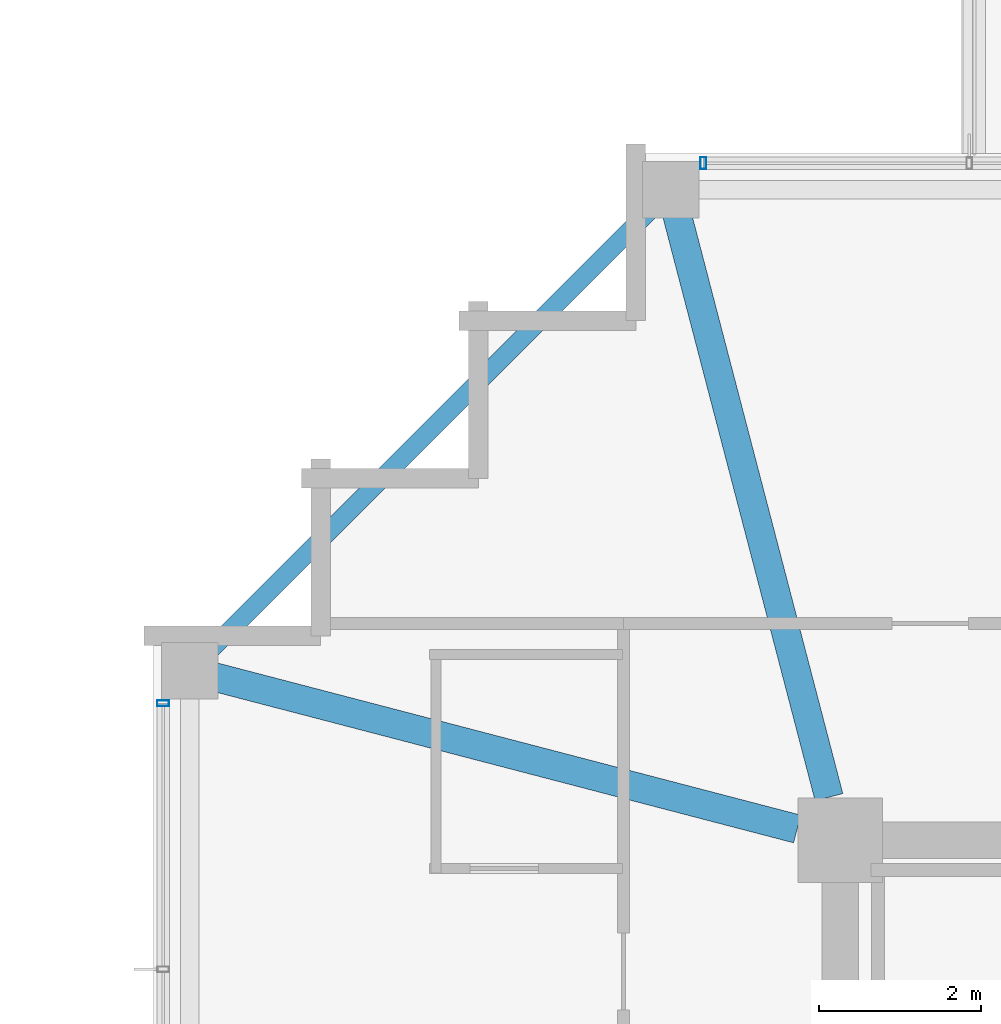
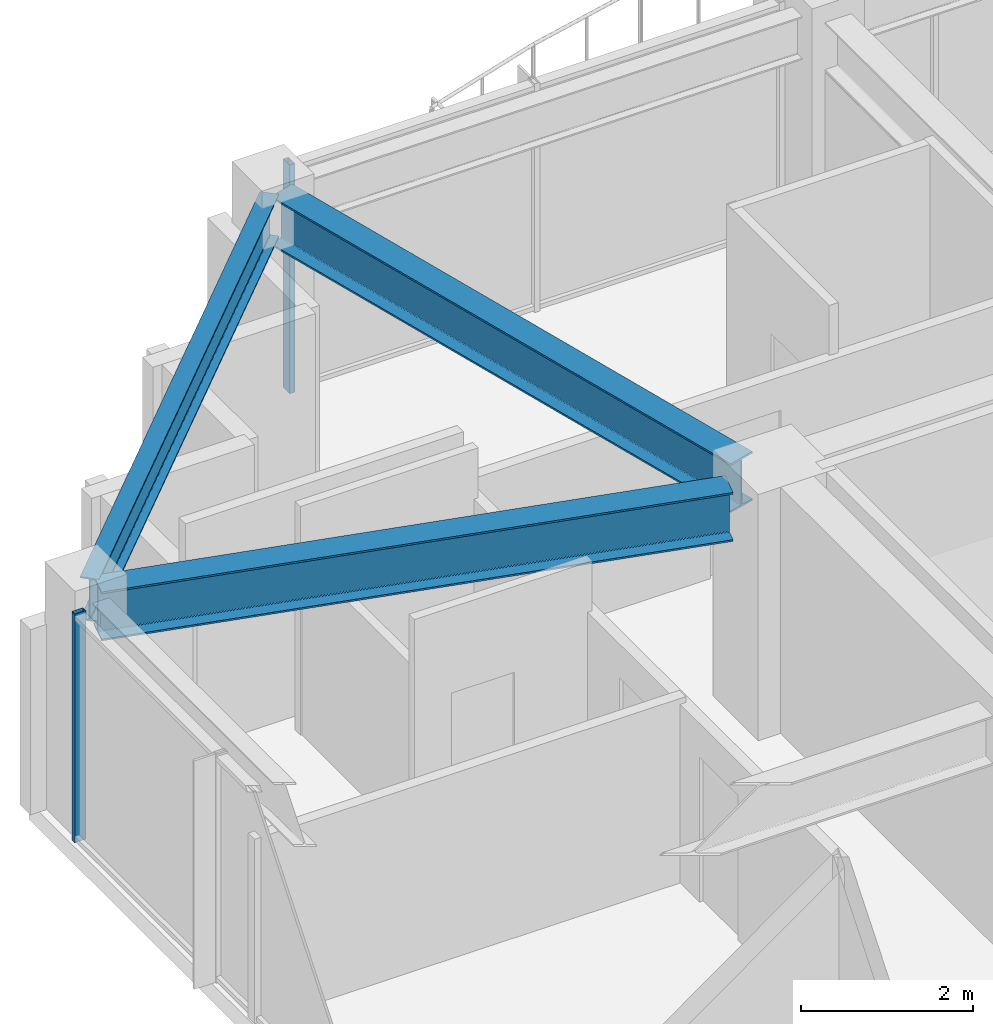
# One storey, part 15 of 34: 3 beams, 2 members, 2 elements without a shape of their own.
"""IFC4 building model written with IfcOpenShell, lengths in metres."""

import ifcopenshell
import ifcopenshell.guid

model = None  # the IFC model being written
_history = None  # IfcOwnerHistory: only IFC2X3 demands one
_inside = {}  # id of a spatial element -> (the spatial element, [elements in it])
_under = {}  # id of a project, library or spatial element -> (it, [spatial elements below it])
_declared = {}  # id of a project -> (the project, [libraries it declares])
_typed = {}  # id of a type object -> (the type object, [elements of that type])
_made_of = {}  # id of a material, layer set ... -> (it, [elements and type objects made of it])


def new_model(schema):
    """Start an empty IFC model of exactly this schema.

    Asked for "IFC4X3", IfcOpenShell would pick the latest addendum, in which some entities
    have other attributes; the version numbers below select the first issue.
    IFC2X3 requires an IfcOwnerHistory on every rooted entity: one is made here for all.
    """
    global model, _history
    if schema == "IFC4X3":
        model = ifcopenshell.file(schema_version=(4, 3, 0, 0))
    else:
        model = ifcopenshell.file(schema=schema)
    _inside.clear()
    _under.clear()
    _declared.clear()
    _typed.clear()
    _made_of.clear()
    _history = None
    if model.schema == "IFC2X3":
        org = make("IfcOrganization", Name="unknown")
        user = make(
            "IfcPersonAndOrganization",
            ThePerson=make("IfcPerson", FamilyName="unknown"),
            TheOrganization=org,
        )
        app = make(
            "IfcApplication",
            ApplicationDeveloper=org,
            Version="unknown",
            ApplicationFullName="unknown",
            ApplicationIdentifier="unknown",
        )
        _history = make(
            "IfcOwnerHistory",
            OwningUser=user,
            OwningApplication=app,
            ChangeAction="ADDED",
            CreationDate=0,
        )
    return model


def make(cls, **values):
    """One entity of the class cls with the attributes given. An attribute that is None is left unset."""
    return model.create_entity(
        cls, **{name: value for name, value in values.items() if value is not None}
    )


def rooted(cls, **values):
    """An entity with a GlobalId (a new one), such as an element, a storey or a relation."""
    return make(cls, GlobalId=ifcopenshell.guid.new(), OwnerHistory=_history, **values)


def si_unit(unit_type, name, prefix=None):
    """IfcSIUnit, for example si_unit("LENGTHUNIT", "METRE", prefix="MILLI")."""
    return make("IfcSIUnit", UnitType=unit_type, Prefix=prefix, Name=name)


def assignment(units):
    """IfcUnitAssignment: the units of a project."""
    return None if units is None else make("IfcUnitAssignment", Units=units)


def point(xyz):
    """IfcCartesianPoint."""
    return None if xyz is None else make("IfcCartesianPoint", Coordinates=xyz)


def direction(xyz):
    """IfcDirection."""
    return None if xyz is None else make("IfcDirection", DirectionRatios=xyz)


def frame(location, z_axis=None, x_axis=None):
    """IfcAxis2Placement3D, a coordinate frame: its origin and axes. An axis left out is left unset."""
    return make(
        "IfcAxis2Placement3D",
        Location=point(location),
        Axis=direction(z_axis),
        RefDirection=direction(x_axis),
    )


def frame_2d(location, x_axis=None):
    """IfcAxis2Placement2D, a coordinate frame in the plane: its origin and x axis."""
    return make(
        "IfcAxis2Placement2D", Location=point(location), RefDirection=direction(x_axis)
    )


def origin():
    """The frame at (0, 0, 0) with its axes left unset."""
    return frame((0.0, 0.0, 0.0))


def origin_2d():
    """The frame at (0, 0) in the plane with its x axis left unset."""
    return frame_2d((0.0, 0.0))


def place(relative_to, where):
    """IfcLocalPlacement: puts the frame where relative to a parent placement (None: the world)."""
    return make(
        "IfcLocalPlacement", PlacementRelTo=relative_to, RelativePlacement=where
    )


def context(
    kind, dimensions, precision=None, world=None, true_north=None, identifier=None
):
    """IfcGeometricRepresentationContext, for example the 3D "Model" context."""
    return make(
        "IfcGeometricRepresentationContext",
        ContextIdentifier=identifier,
        ContextType=kind,
        CoordinateSpaceDimension=dimensions,
        Precision=precision,
        WorldCoordinateSystem=world,
        TrueNorth=true_north,
    )


def subcontext(parent, identifier, kind, view, scale=None):
    """IfcGeometricRepresentationSubContext, for example "Body" below "Model"."""
    return make(
        "IfcGeometricRepresentationSubContext",
        ContextIdentifier=identifier,
        ContextType=kind,
        ParentContext=parent,
        TargetScale=scale,
        TargetView=view,
    )


def project(units=None, contexts=None):
    """IfcProject with its units and contexts."""
    return rooted(
        "IfcProject",
        Name="project",
        RepresentationContexts=contexts,
        UnitsInContext=assignment(units),
    )


def spatial(cls, under=None, at=None, **own):
    """A site, building, storey or space (cls), placed at a placement, below another one or the project."""
    s = rooted(cls, ObjectPlacement=at, **own)
    if under is not None:
        _under.setdefault(under.id(), (under, []))[1].append(s)
    return s


def profile(cls, at=None, kind="AREA", **sizes):
    """A parametric profile (cls). Its sizes go by their IFC names, for example OverallWidth=200.0."""
    return make(cls, ProfileType=kind, Position=at, **sizes)


def hollow_rectangle(**sizes):
    """IfcRectangleHollowProfileDef."""
    return profile("IfcRectangleHollowProfileDef", **sizes)


def i_section(**sizes):
    """IfcIShapeProfileDef."""
    return profile("IfcIShapeProfileDef", **sizes)


def extrude(swept, where, along, depth):
    """IfcExtrudedAreaSolid: the profile swept, set in the frame where, extruded along a direction by depth."""
    return make(
        "IfcExtrudedAreaSolid",
        SweptArea=swept,
        Position=where,
        ExtrudedDirection=direction(along),
        Depth=depth,
    )


def shape(context_of_items, identifier, shape_type, items):
    """IfcShapeRepresentation: the items that make up one representation, for example the "Body"."""
    return make(
        "IfcShapeRepresentation",
        ContextOfItems=context_of_items,
        RepresentationIdentifier=identifier,
        RepresentationType=shape_type,
        Items=items,
    )


def material(Name=None, Category=None):
    """IfcMaterial."""
    return make("IfcMaterial", Name=Name, Category=Category)


def material_profile(
    of_material, cross_section, Name=None, Category=None, Priority=None
):
    """IfcMaterialProfile: a cross section and its material."""
    return make(
        "IfcMaterialProfile",
        Name=Name,
        Material=of_material,
        Profile=cross_section,
        Priority=Priority,
        Category=Category,
    )


def profile_set(profiles, Name=None, composite=None):
    """IfcMaterialProfileSet."""
    return make(
        "IfcMaterialProfileSet",
        Name=Name,
        MaterialProfiles=profiles,
        CompositeProfile=composite,
    )


def made_of(thing, what):
    """Note that an element or type object is made of a material, layer set ...; save() writes the relation."""
    if what is not None:
        _made_of.setdefault(what.id(), (what, []))[1].append(thing)
    return thing


def type_object(cls, material=None, **own):
    """A type object (cls), such as IfcWallType, which elements share."""
    return made_of(rooted(cls, **own), material)


def element(
    cls,
    number,
    at=None,
    inside=None,
    cuts=None,
    type_object=None,
    material=None,
    context=None,
    identifier="Body",
    shape_type=None,
    held_by="IfcProductDefinitionShape",
    body=None,
    shapes=None,
    **own,
):
    """One element of the class cls, such as IfcWall. Its Tag is "e" and its number.

    at: its placement. inside: the storey or other place that contains it. cuts: it is an
    opening in that element (IfcRelVoidsElement). A single representation is given by context,
    identifier, shape_type and body (its items); several are given by shapes. held_by: the class
    of the entity that holds the representations. save() writes the other relations.
    """
    e = rooted(cls, Tag="e%d" % number, ObjectPlacement=at, **own)
    if body is not None:
        shapes = [shape(context, identifier, shape_type, body)]
    if shapes is not None:
        e.Representation = make(held_by, Representations=shapes)
    if inside is not None:
        _inside.setdefault(inside.id(), (inside, []))[1].append(e)
    if cuts is not None:
        rooted(
            "IfcRelVoidsElement", RelatingBuildingElement=cuts, RelatedOpeningElement=e
        )
    if type_object is not None:
        _typed.setdefault(type_object.id(), (type_object, []))[1].append(e)
    return made_of(e, material)


def aggregate(whole, parts):
    """IfcRelAggregates: a whole, such as a stair, and the parts it consists of."""
    return rooted("IfcRelAggregates", RelatingObject=whole, RelatedObjects=parts)


def save(model, path):
    """Write the relations noted so far, then the file.

    IfcRelAggregates (storeys below a building ...), IfcRelContainedInSpatialStructure (elements
    in a storey), IfcRelDefinesByType, IfcRelAssociatesMaterial and IfcRelDeclares: one each for
    every whole, place, type object, material and project.
    """
    for whole, parts in _under.values():
        aggregate(whole, parts)
    for where, things in _inside.values():
        rooted(
            "IfcRelContainedInSpatialStructure",
            RelatedElements=things,
            RelatingStructure=where,
        )
    for kind, things in _typed.values():
        rooted("IfcRelDefinesByType", RelatedObjects=things, RelatingType=kind)
    for what, things in _made_of.values():
        rooted("IfcRelAssociatesMaterial", RelatedObjects=things, RelatingMaterial=what)
    for by, libraries in _declared.values():
        rooted("IfcRelDeclares", RelatingContext=by, RelatedDefinitions=libraries)
    model.write(path)


model = new_model("IFC4")

# Units and contexts
model_context = context("Model", 3, precision=1e-05, world=origin(), true_north=direction((0.0, 1.0)))
body_context = subcontext(model_context, "Body", "Model", "MODEL_VIEW")
ifc_project = project(units=[si_unit("LENGTHUNIT", "METRE"), si_unit("AREAUNIT", "SQUARE_METRE"), si_unit("VOLUMEUNIT", "CUBIC_METRE"), si_unit("PLANEANGLEUNIT", "RADIAN"), si_unit("MASSUNIT", "GRAM", prefix="KILO")], contexts=[model_context])

# Site, building, storey
site_placement = place(None, origin())
site = spatial("IfcSite", under=ifc_project, at=site_placement, CompositionType="ELEMENT")
building_placement = place(site_placement, origin())
building = spatial("IfcBuilding", under=site, at=building_placement, Name="Kolvaren Belvedere", CompositionType="ELEMENT")
storey_placement = place(building_placement, frame((0.0, 0.0, 240.89990234375)))
storey = spatial("IfcBuildingStorey", under=building, at=storey_placement, Name="L70", CompositionType="ELEMENT", Elevation=240.89990234375)

# Beams
ifc_material_1 = material(Name="Structural steel ASTM A992 Grade 50", Category="steel")
ifc_material_profile_1 = material_profile(ifc_material_1, i_section(OverallWidth=0.35498046875, OverallDepth=0.696044921875, WebThickness=0.015380859375, FlangeThickness=0.02490234375, FilletRadius=0.02197265625, at=origin_2d()), Name="W27X146")
ifc_profile_set_1 = profile_set([ifc_material_profile_1], Name="Structural steel ASTM A992 Grade 50")
beam_type_1 = type_object("IfcBeamType", Name="BM-GIRD-W27X146", PredefinedType="BEAM", material=ifc_profile_set_1)
for number, where, z_axis, x_axis, name in (
    (1, (-10.038818359375, 10.43212890625, 2.902099609375), (-0.25241668651, 0.967618631679, 0.0), (-0.967618631679, -0.25241668651, 0.0), "L70 Corner Core-to-Perimeter Girder CC4-N1"),
    (2, (-10.43212890625, 10.038818359375, 2.902099609375), (-0.967618631679, 0.25241668651, 0.0), (-0.25241668651, -0.967618631679, 0.0), "L70 Corner Core-to-Perimeter Girder CC4-W4"),
):
    element("IfcBeam", number, at=place(storey_placement, frame(where, z_axis=z_axis, x_axis=x_axis)), inside=storey, type_object=beam_type_1, Name=name, PredefinedType="BEAM", context=body_context, shape_type="SweptSolid", body=[
        extrude(i_section(OverallWidth=0.35498046875, OverallDepth=0.696044921875, WebThickness=0.015380859375, FlangeThickness=0.02490234375, FilletRadius=0.02197265625, at=origin_2d()), origin(), (0.0, 0.0, 1.0), 7.62939453125),
    ])
ifc_material_2 = material(Name="Structural steel ASTM A992 Grade 50", Category="steel")
ifc_material_profile_2 = material_profile(ifc_material_2, i_section(OverallWidth=0.22900390625, OverallDepth=0.612060546875, WebThickness=0.011962890625, FlangeThickness=0.01953125, FilletRadius=0.01806640625, at=origin_2d()), Name="W24X84")
ifc_profile_set_2 = profile_set([ifc_material_profile_2], Name="Structural steel ASTM A992 Grade 50")
beam_type_2 = type_object("IfcBeamType", Name="BM-SPAN-W24X84", PredefinedType="SPANDREL", material=ifc_profile_set_2)
beam_placement = place(storey_placement, frame((-12.111328125, 17.838623046875, 2.944091796875), z_axis=(-0.707106781187, -0.707106781187, 0.0), x_axis=(0.707106781187, -0.707106781187, 0.0)))
element("IfcBeam", 3, at=beam_placement, inside=storey, type_object=beam_type_2, Name="L70 Perimeter Spandrel N1-W4", PredefinedType="SPANDREL", context=body_context, shape_type="SweptSolid", body=[
    extrude(i_section(OverallWidth=0.22900390625, OverallDepth=0.612060546875, WebThickness=0.011962890625, FlangeThickness=0.01953125, FilletRadius=0.01806640625, at=origin_2d()), origin(), (0.0, 0.0, 1.0), 8.099609375),
])

# Curtain wall, member
ifc_material_3 = material(Name="Anodised pale-metal aluminium AA 6063-T6", Category="aluminium")
curtain_wall_type = type_object("IfcCurtainWallType", Name="CW-Z5-HIGH", PredefinedType="NOTDEFINED", material=ifc_material_3)
curtain_wall_1_placement = place(storey_placement, origin())
curtain_wall_1 = element("IfcCurtainWall", 4, at=curtain_wall_1_placement, inside=storey, type_object=curtain_wall_type, Name="L70 Unitised Curtain Wall FCW-L70-N1-B1", PredefinedType="NOTDEFINED")
ifc_material_4 = material(Name="Anodised pale-metal aluminium AA 6063-T6", Category="aluminium")
ifc_material_profile_3 = material_profile(ifc_material_4, hollow_rectangle(XDim=0.070068359375, YDim=0.14990234375, WallThickness=0.004150390625, at=origin_2d()), Name="ALU-MUL-150X70")
ifc_profile_set_3 = profile_set([ifc_material_profile_3], Name="Anodised pale-metal aluminium AA 6063-T6")
member_type = type_object("IfcMemberType", Name="CW-MUL-150", PredefinedType="MULLION", material=ifc_profile_set_3)
member_1_placement = place(storey_placement, frame((-11.594970703125, 18.280029296875, 0.0), z_axis=(0.0, 0.0, 1.0), x_axis=(1.0, 0.0, 0.0)))
member_1 = element("IfcMember", 5, at=member_1_placement, type_object=member_type, Name="FCW-L70-N1-B1 Unitised Mullion 1", PredefinedType="MULLION", context=body_context, shape_type="SweptSolid", body=[
    extrude(hollow_rectangle(XDim=0.070068359375, YDim=0.14990234375, WallThickness=0.004150390625, at=origin_2d()), origin(), (0.0, 0.0, 1.0), 3.25),
])
aggregate(curtain_wall_1, [member_1])

curtain_wall_2_placement = place(storey_placement, origin())
curtain_wall_2 = element("IfcCurtainWall", 6, at=curtain_wall_2_placement, inside=storey, type_object=curtain_wall_type, Name="L70 Unitised Curtain Wall FCW-L70-W2-B2", PredefinedType="NOTDEFINED")
member_2_placement = place(storey_placement, frame((-18.280029296875, 11.594970703125, 0.0), z_axis=(0.0, 0.0, 1.0), x_axis=(0.0, 1.0, 0.0)))
member_2 = element("IfcMember", 7, at=member_2_placement, type_object=member_type, Name="FCW-L70-W2-B2 Unitised Mullion 3", PredefinedType="MULLION", context=body_context, shape_type="SweptSolid", body=[
    extrude(hollow_rectangle(XDim=0.070068359375, YDim=0.14990234375, WallThickness=0.004150390625, at=origin_2d()), origin(), (0.0, 0.0, 1.0), 3.25),
])
aggregate(curtain_wall_2, [member_2])

save(model, "model.ifc")
